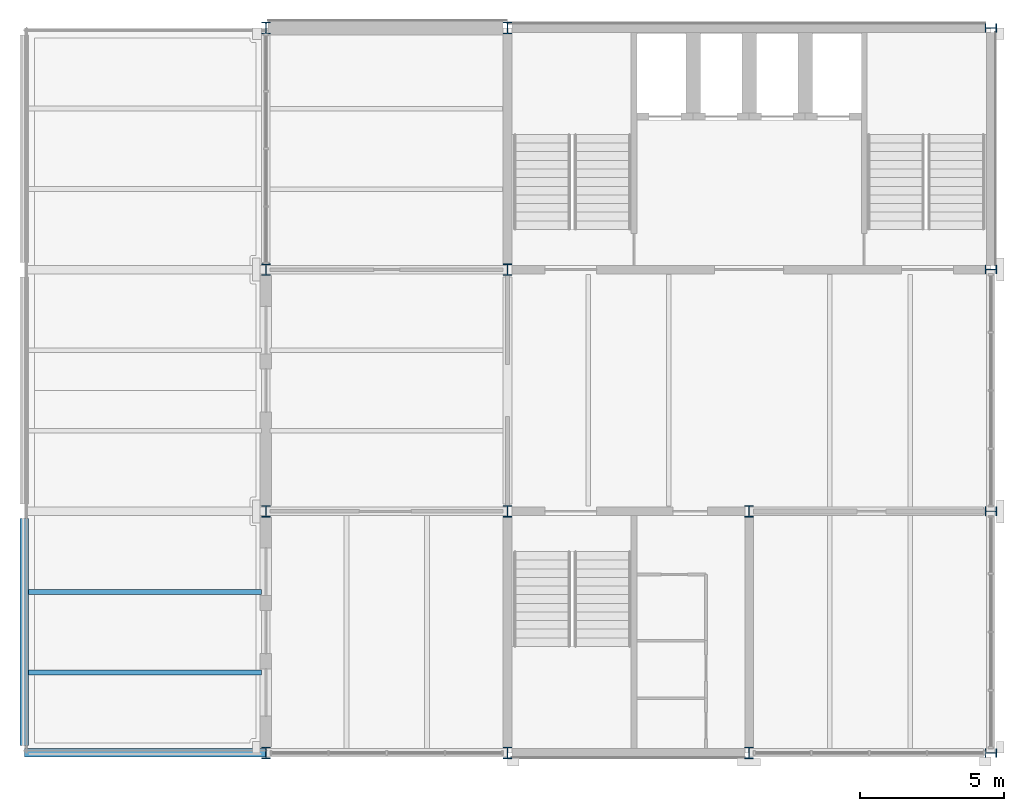
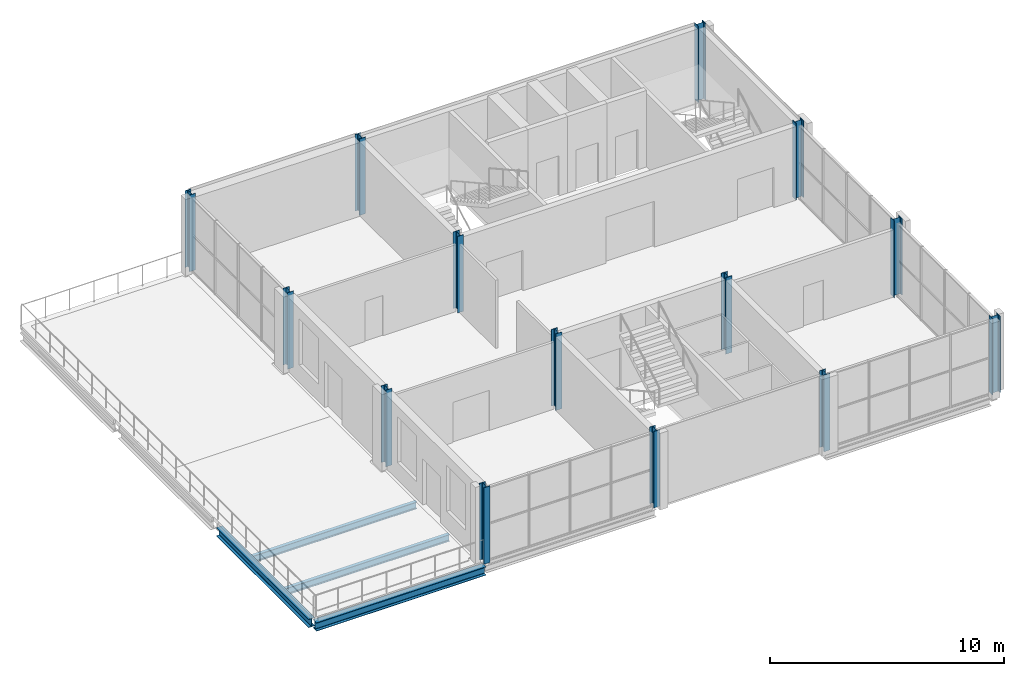
# One storey, part 1 of 9: 14 columns, 4 beams.
"""IFC4 building model written with IfcOpenShell, lengths in metres."""

from ifc_helpers import new_model, si_unit, direction, frame, origin, origin_2d, place, context, subcontext, project, spatial, i_section, extrude, material, material_profile, profile_set, type_object, element, save


model = new_model("IFC4")

# Units and contexts
model_context = context("Model", 3, precision=1e-05, world=origin(), true_north=direction((0.0, 1.0)))
body_context = subcontext(model_context, "Body", "Model", "MODEL_VIEW")
ifc_project = project(units=[si_unit("LENGTHUNIT", "METRE"), si_unit("AREAUNIT", "SQUARE_METRE"), si_unit("VOLUMEUNIT", "CUBIC_METRE"), si_unit("PLANEANGLEUNIT", "RADIAN"), si_unit("MASSUNIT", "GRAM", prefix="KILO")], contexts=[model_context])

# Site, building, storey
site_placement = place(None, origin())
site = spatial("IfcSite", under=ifc_project, at=site_placement, CompositionType="ELEMENT")
building_placement = place(site_placement, origin())
building = spatial("IfcBuilding", under=site, at=building_placement, Name="Galleria Vessillo Department Store", CompositionType="ELEMENT")
storey_placement = place(building_placement, frame((0.0, 0.0, 47.60009765625)))
storey = spatial("IfcBuildingStorey", under=building, at=storey_placement, Name="L10", CompositionType="ELEMENT", Elevation=47.60009765625)

# Columns
ifc_material_1 = material(Name="Steel S355 J2", Category="steel")
ifc_material_profile_1 = material_profile(ifc_material_1, i_section(OverallWidth=0.300048828125, OverallDepth=0.39990234375, WebThickness=0.013427734375, FlangeThickness=0.02392578125, FilletRadius=0.027099609375, at=origin_2d()), Name="HEB 400")
ifc_profile_set_1 = profile_set([ifc_material_profile_1], Name="Steel S355 J2")
column_type = type_object("IfcColumnType", Name="Steel column HEB 400 CT4", PredefinedType="COLUMN", material=ifc_profile_set_1)
for number, where, z_axis, x_axis, name in (
    (1, (92.39990234375, 37.800048828125, 0.0), (0.0, 0.0, 1.0), (1.0, 0.0, 0.0), "S-COL-L10-12-E"),
    (2, (92.39990234375, 46.199951171875, 0.0), (0.0, 0.0, 1.0), (1.0, 0.0, 0.0), "S-COL-L10-12-F"),
    (3, (92.39990234375, 54.60009765625, 0.0), (0.0, 0.0, 1.0), (1.0, 0.0, 0.0), "S-COL-L10-12-G"),
    (4, (92.39990234375, 63.0, 0.0), (0.0, 0.0, 1.0), (1.0, 0.0, 0.0), "S-COL-L10-12-H"),
    (5, (100.800048828125, 37.800048828125, 0.0), (0.0, 0.0, 1.0), (1.0, 0.0, 0.0), "S-COL-L10-13-E"),
    (6, (100.800048828125, 46.199951171875, 0.0), (0.0, 0.0, 1.0), (1.0, 0.0, 0.0), "S-COL-L10-13-F"),
    (7, (100.800048828125, 54.60009765625, 0.0), (0.0, 0.0, 1.0), (1.0, 0.0, 0.0), "S-COL-L10-13-G"),
    (8, (100.800048828125, 63.0, 0.0), (0.0, 0.0, 1.0), (1.0, 0.0, 0.0), "S-COL-L10-13-H"),
    (9, (109.199951171875, 37.800048828125, 0.0), (0.0, 0.0, 1.0), (1.0, 0.0, 0.0), "S-COL-L10-14-E"),
    (10, (109.199951171875, 46.199951171875, 0.0), (0.0, 0.0, 1.0), (1.0, 0.0, 0.0), "S-COL-L10-14-F"),
    (11, (117.60009765625, 37.800048828125, 0.0), (0.0, 0.0, 1.0), (0.0, 1.0, 0.0), "S-COL-L10-15-E"),
    (12, (117.60009765625, 46.199951171875, 0.0), (0.0, 0.0, 1.0), (0.0, 1.0, 0.0), "S-COL-L10-15-F"),
    (13, (117.60009765625, 54.60009765625, 0.0), (0.0, 0.0, 1.0), (0.0, 1.0, 0.0), "S-COL-L10-15-G"),
    (14, (117.60009765625, 63.0, 0.0), (0.0, 0.0, 1.0), (0.0, 1.0, 0.0), "S-COL-L10-15-H"),
):
    element("IfcColumn", number, at=place(storey_placement, frame(where, z_axis=z_axis, x_axis=x_axis)), inside=storey, type_object=column_type, Name=name, PredefinedType="COLUMN", context=body_context, shape_type="SweptSolid", body=[
        extrude(i_section(OverallWidth=0.300048828125, OverallDepth=0.39990234375, WebThickness=0.013427734375, FlangeThickness=0.02392578125, FilletRadius=0.027099609375, at=origin_2d()), origin(), (0.0, 0.0, 1.0), 4.0),
    ])

# Beams
ifc_material_2 = material(Name="Steel S355 J2", Category="steel")
ifc_material_profile_2 = material_profile(ifc_material_2, i_section(OverallWidth=0.169921875, OverallDepth=0.360107421875, WebThickness=0.008056640625, FlangeThickness=0.0126953125, FilletRadius=0.01806640625, at=origin_2d()), Name="IPE 360")
ifc_profile_set_2 = profile_set([ifc_material_profile_2], Name="Steel S355 J2")
beam_type_1 = type_object("IfcBeamType", Name="Floor joist IPE 360", PredefinedType="JOIST", material=ifc_profile_set_2)
for number, where, z_axis, x_axis, name in (
    (15, (84.150146484375, 40.60009765625, -0.3798828125), (1.0, 0.0, 0.0), (0.0, 1.0, 0.0), "S-BM-L10-JO-x40600-84150"),
    (16, (84.150146484375, 43.39990234375, -0.3798828125), (1.0, 0.0, 0.0), (0.0, 1.0, 0.0), "S-BM-L10-JO-x43400-84150"),
):
    element("IfcBeam", number, at=place(storey_placement, frame(where, z_axis=z_axis, x_axis=x_axis)), inside=storey, type_object=beam_type_1, Name=name, PredefinedType="JOIST", context=body_context, shape_type="SweptSolid", body=[
        extrude(i_section(OverallWidth=0.169921875, OverallDepth=0.360107421875, WebThickness=0.008056640625, FlangeThickness=0.0126953125, FilletRadius=0.01806640625, at=origin_2d()), origin(), (0.0, 0.0, 1.0), 8.099609375),
    ])
ifc_material_3 = material(Name="Steel S355 J2", Category="steel")
ifc_material_profile_3 = material_profile(ifc_material_3, i_section(OverallWidth=0.300048828125, OverallDepth=0.43994140625, WebThickness=0.011474609375, FlangeThickness=0.02099609375, FilletRadius=0.027099609375, at=origin_2d()), Name="HEA 450")
ifc_profile_set_3 = profile_set([ifc_material_profile_3], Name="Steel S355 J2")
beam_type_2 = type_object("IfcBeamType", Name="Trimmer beam HEA 450", PredefinedType="BEAM", material=ifc_profile_set_3)
beam_1_placement = place(storey_placement, frame((84.00732421875, 37.800048828125, -0.419921875), z_axis=(1.0, 0.0, 0.0), x_axis=(0.0, 1.0, 0.0)))
element("IfcBeam", 17, at=beam_1_placement, inside=storey, type_object=beam_type_2, Name="S-BM-L10-TR-x37800-84007", PredefinedType="BEAM", context=body_context, shape_type="SweptSolid", body=[
    extrude(i_section(OverallWidth=0.300048828125, OverallDepth=0.43994140625, WebThickness=0.011474609375, FlangeThickness=0.02099609375, FilletRadius=0.027099609375, at=origin_2d()), origin(), (0.0, 0.0, 1.0), 8.38525390625),
])
beam_2_placement = place(storey_placement, frame((84.0, 38.050048828125, -0.419921875), z_axis=(0.0, 1.0, 0.0), x_axis=(-1.0, 0.0, 0.0)))
element("IfcBeam", 18, at=beam_2_placement, inside=storey, type_object=beam_type_2, Name="S-BM-L10-TR-y84000-38050", PredefinedType="BEAM", context=body_context, shape_type="SweptSolid", body=[
    extrude(i_section(OverallWidth=0.300048828125, OverallDepth=0.43994140625, WebThickness=0.011474609375, FlangeThickness=0.02099609375, FilletRadius=0.027099609375, at=origin_2d()), origin(), (0.0, 0.0, 1.0), 7.89990234375),
])

save(model, "model.ifc")
